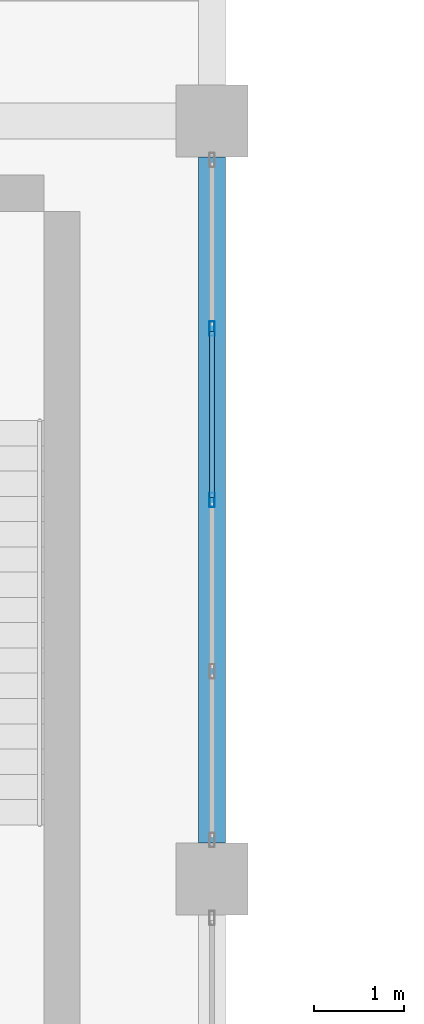
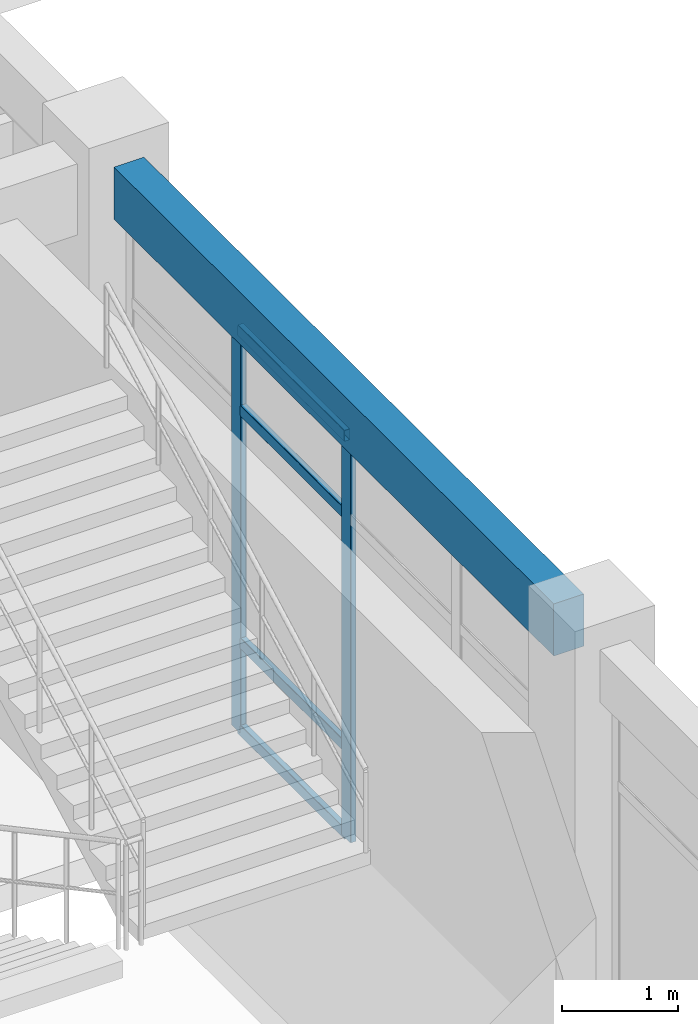
# One storey, part 31 of 124: 6 members, 1 beam, 1 element without a shape of its own.
"""IFC4 building model written with IfcOpenShell, lengths in metres."""

from ifc_helpers import new_model, si_unit, derived_unit, direction, frame, origin, origin_2d, place, context, subcontext, project, spatial, rectangle, hollow_rectangle, extrude, material, layer, layer_set, material_profile, profile_set, type_object, element, aggregate, save


model = new_model("IFC4")

# Units and contexts
model_context = context("Model", 3, precision=1e-05, world=origin(), true_north=direction((0.0, 1.0)))
body_context = subcontext(model_context, "Body", "Model", "MODEL_VIEW")
ifc_project = project(units=[si_unit("LENGTHUNIT", "METRE"), si_unit("AREAUNIT", "SQUARE_METRE"), si_unit("VOLUMEUNIT", "CUBIC_METRE"), si_unit("PLANEANGLEUNIT", "RADIAN"), si_unit("MASSUNIT", "GRAM", prefix="KILO"), derived_unit("THERMALTRANSMITTANCEUNIT", [(si_unit("MASSUNIT", "GRAM", prefix="KILO"), 1), (si_unit("TIMEUNIT", "SECOND"), -3), (si_unit("THERMODYNAMICTEMPERATUREUNIT", "KELVIN"), -1)])], contexts=[model_context])

# Site, building, storey
site_placement = place(None, origin())
site = spatial("IfcSite", under=ifc_project, at=site_placement, CompositionType="ELEMENT")
building_placement = place(site_placement, origin())
building = spatial("IfcBuilding", under=site, at=building_placement, Name="Qinzheling Arcade Emporium", CompositionType="ELEMENT")
storey_placement = place(building_placement, frame((0.0, 0.0, 16.5)))
storey = spatial("IfcBuildingStorey", under=building, at=storey_placement, Name="L04", CompositionType="ELEMENT", Elevation=16.5)

# Curtain wall, members
ifc_material_1 = material(Name="Anodised aluminium and solar-control double glazing", Category="aluminium")
ifc_layer = layer(ifc_material_1, 0.159912109375, Name="Anodised aluminium and solar-control double glazing", Category="aluminium")
ifc_layer_set = layer_set([ifc_layer], Name="Anodised aluminium and solar-control double glazing")
curtain_wall_type = type_object("IfcCurtainWallType", Name="Arcade Portal Glazed Curtain Wall", PredefinedType="NOTDEFINED", material=ifc_layer_set)
curtain_wall_placement = place(storey_placement, origin())
curtain_wall = element("IfcCurtainWall", 1, at=curtain_wall_placement, inside=storey, type_object=curtain_wall_type, Name="Curtain Wall CW-L04-257", PredefinedType="NOTDEFINED")
ifc_material_2 = material(Name="Anodised aluminium 6063-T6", Category="aluminium")
ifc_material_profile_1 = material_profile(ifc_material_2, hollow_rectangle(XDim=0.06005859375, YDim=0.159912109375, WallThickness=0.00390625, InnerFilletRadius=0.00390625, OuterFilletRadius=0.008056640625, at=origin_2d()), Name="RHS 160x60x4", Category="aluminium")
ifc_profile_set_1 = profile_set([ifc_material_profile_1], Name="Anodised aluminium 6063-T6")
member_type_1 = type_object("IfcMemberType", Name="Curtain Wall Mullion RHS160x60", PredefinedType="MULLION", material=ifc_profile_set_1)
member_1_placement = place(storey_placement, frame((69.60009765625, 31.299072265625, 0.0), z_axis=(0.0, 0.0, 1.0), x_axis=(1.0, 0.0, 0.0)))
member_1 = element("IfcMember", 2, at=member_1_placement, type_object=member_type_1, Name="CW05 mullion 2", PredefinedType="MULLION", context=body_context, shape_type="SweptSolid", body=[
    extrude(hollow_rectangle(XDim=0.06005859375, YDim=0.159912109375, WallThickness=0.00390625, InnerFilletRadius=0.00390625, OuterFilletRadius=0.008056640625, at=origin_2d()), origin(), (0.0, 0.0, 1.0), 4.2548828125),
])
member_2_placement = place(storey_placement, frame((69.60009765625, 29.39990234375, 0.0), z_axis=(0.0, 0.0, 1.0), x_axis=(1.0, 0.0, 0.0)))
member_2 = element("IfcMember", 3, at=member_2_placement, type_object=member_type_1, Name="CW05 mullion 3", PredefinedType="MULLION", context=body_context, shape_type="SweptSolid", body=[
    extrude(hollow_rectangle(XDim=0.06005859375, YDim=0.159912109375, WallThickness=0.00390625, InnerFilletRadius=0.00390625, OuterFilletRadius=0.008056640625, at=origin_2d()), origin(), (0.0, 0.0, 1.0), 4.2548828125),
])
ifc_material_profile_2 = material_profile(ifc_material_2, hollow_rectangle(XDim=0.06005859375, YDim=0.1201171875, WallThickness=0.00390625, InnerFilletRadius=0.00390625, OuterFilletRadius=0.008056640625, at=origin_2d()), Name="RHS 120x60x4", Category="aluminium")
ifc_profile_set_2 = profile_set([ifc_material_profile_2], Name="Anodised aluminium 6063-T6")
member_type_2 = type_object("IfcMemberType", Name="Curtain Wall Transom RHS120x60", PredefinedType="USERDEFINED", material=ifc_profile_set_2)
member_3_placement = place(storey_placement, frame((69.60009765625, 31.26904296875, 0.030029296875), z_axis=(0.0, -1.0, 0.0), x_axis=(1.0, 0.0, 0.0)))
member_3 = element("IfcMember", 4, at=member_3_placement, type_object=member_type_2, Name="CW05 transom 2.1", ObjectType="TRANSOM", PredefinedType="USERDEFINED", context=body_context, shape_type="SweptSolid", body=[
    extrude(hollow_rectangle(XDim=0.06005859375, YDim=0.1201171875, WallThickness=0.00390625, InnerFilletRadius=0.00390625, OuterFilletRadius=0.008056640625, at=origin_2d()), origin(), (0.0, 0.0, 1.0), 1.839111328125),
])
member_4_placement = place(storey_placement, frame((69.60009765625, 31.26904296875, 0.949951171875), z_axis=(0.0, -1.0, 0.0), x_axis=(1.0, 0.0, 0.0)))
member_4 = element("IfcMember", 5, at=member_4_placement, type_object=member_type_2, Name="CW05 transom 2.2", ObjectType="TRANSOM", PredefinedType="USERDEFINED", context=body_context, shape_type="SweptSolid", body=[
    extrude(hollow_rectangle(XDim=0.06005859375, YDim=0.1201171875, WallThickness=0.00390625, InnerFilletRadius=0.00390625, OuterFilletRadius=0.008056640625, at=origin_2d()), origin(), (0.0, 0.0, 1.0), 1.839111328125),
])
member_5_placement = place(storey_placement, frame((69.60009765625, 31.26904296875, 3.405029296875), z_axis=(0.0, -1.0, 0.0), x_axis=(1.0, 0.0, 0.0)))
member_5 = element("IfcMember", 6, at=member_5_placement, type_object=member_type_2, Name="CW05 transom 2.3", ObjectType="TRANSOM", PredefinedType="USERDEFINED", context=body_context, shape_type="SweptSolid", body=[
    extrude(hollow_rectangle(XDim=0.06005859375, YDim=0.1201171875, WallThickness=0.00390625, InnerFilletRadius=0.00390625, OuterFilletRadius=0.008056640625, at=origin_2d()), origin(), (0.0, 0.0, 1.0), 1.839111328125),
])
member_6_placement = place(storey_placement, frame((69.60009765625, 31.26904296875, 4.22509765625), z_axis=(0.0, -1.0, 0.0), x_axis=(1.0, 0.0, 0.0)))
member_6 = element("IfcMember", 7, at=member_6_placement, type_object=member_type_2, Name="CW05 transom 2.4", ObjectType="TRANSOM", PredefinedType="USERDEFINED", context=body_context, shape_type="SweptSolid", body=[
    extrude(hollow_rectangle(XDim=0.06005859375, YDim=0.1201171875, WallThickness=0.00390625, InnerFilletRadius=0.00390625, OuterFilletRadius=0.008056640625, at=origin_2d()), origin(), (0.0, 0.0, 1.0), 1.839111328125),
])
aggregate(curtain_wall, [member_1, member_2, member_3, member_4, member_5, member_6])

# Beam
ifc_material_3 = material(Name="Concrete C40", Category="concrete")
ifc_material_profile_3 = material_profile(ifc_material_3, rectangle(XDim=0.300048828125, YDim=0.550048828125, at=origin_2d()), Name="RC 300x550", Category="concrete")
ifc_profile_set_3 = profile_set([ifc_material_profile_3], Name="Concrete C40")
beam_type = type_object("IfcBeamType", Name="RC Terrace Spandrel Beam 300x550 C40", PredefinedType="SPANDREL", material=ifc_profile_set_3)
beam_placement = place(storey_placement, frame((69.60009765625, 25.60009765625, 4.544921875), z_axis=(0.0, 1.0, 0.0), x_axis=(-1.0, 0.0, 0.0)))
element("IfcBeam", 8, at=beam_placement, inside=storey, type_object=beam_type, Name="Beam BM-L04-Y-9-D", PredefinedType="SPANDREL", context=body_context, shape_type="SweptSolid", body=[
    extrude(rectangle(XDim=0.300048828125, YDim=0.550048828125, at=origin_2d()), origin(), (0.0, 0.0, 1.0), 7.599853515625),
])

save(model, "model.ifc")
